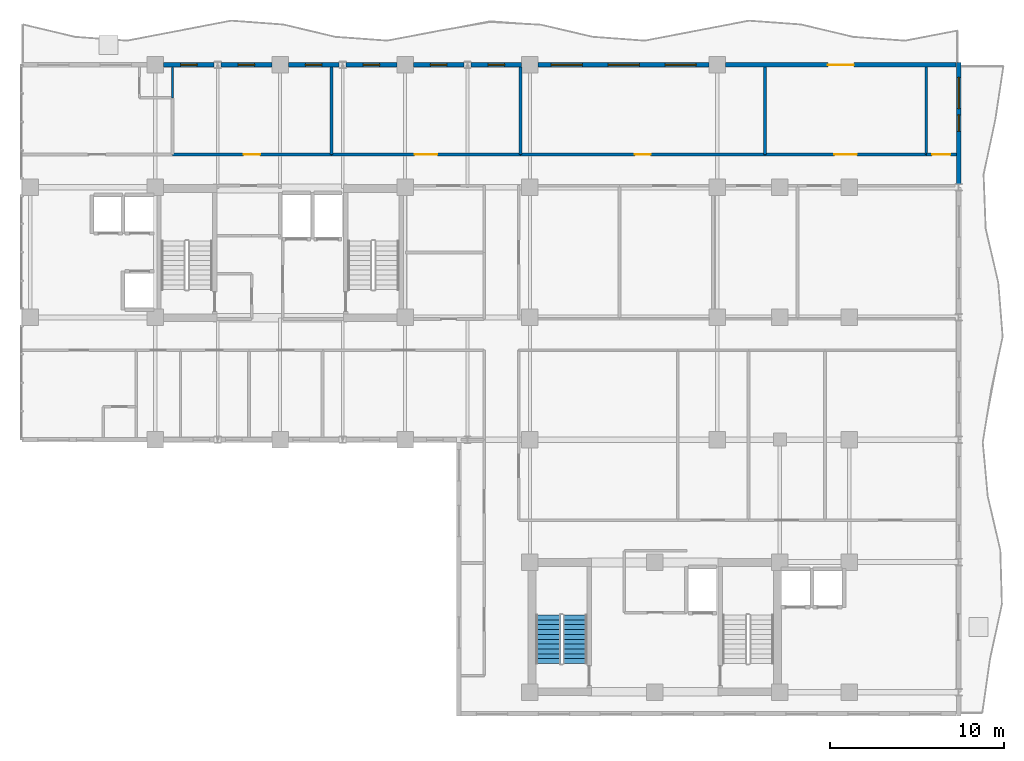
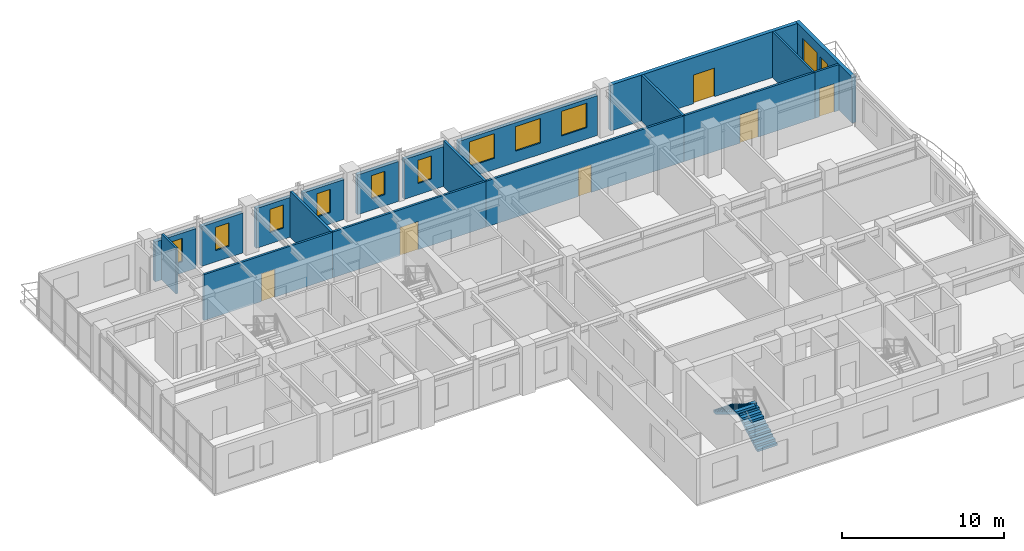
# One storey, part 16 of 20: 19 walls, 11 windows, 6 doors, 2 stair flights, 17 openings, 1 element without a shape of its own.
"""IFC4 building model written with IfcOpenShell, lengths in metres."""

from ifc_helpers import new_model, si_unit, direction, frame, frame_2d, origin, place, context, subcontext, project, spatial, polyline, rectangle, outline, extrude, material, layer, layer_set, type_object, element, fill, aggregate, save


model = new_model("IFC4")

# Units and contexts
model_context = context("Model", 3, precision=1e-05, world=origin(), true_north=direction((0.0, 1.0)))
body_context = subcontext(model_context, "Body", "Model", "MODEL_VIEW")
ifc_project = project(units=[si_unit("LENGTHUNIT", "METRE"), si_unit("AREAUNIT", "SQUARE_METRE"), si_unit("VOLUMEUNIT", "CUBIC_METRE"), si_unit("PLANEANGLEUNIT", "RADIAN"), si_unit("MASSUNIT", "GRAM", prefix="KILO")], contexts=[model_context])

# Site, building, storey
site_placement = place(None, origin())
site = spatial("IfcSite", under=ifc_project, at=site_placement, CompositionType="ELEMENT")
building_placement = place(site_placement, origin())
building = spatial("IfcBuilding", under=site, at=building_placement, Name="Kaliganga Portal Commons", CompositionType="ELEMENT")
storey_placement = place(building_placement, frame((0.0, 0.0, 201.800048828125)))
storey = spatial("IfcBuildingStorey", under=building, at=storey_placement, Name="L51", CompositionType="ELEMENT", Elevation=201.800048828125)

# Wall, openings, windows
ifc_material_1 = material(Name="Insulated Aluminium-Clad Spandrel Assembly", Category="aluminium")
ifc_layer_1 = layer(ifc_material_1, 0.260009765625)
ifc_layer_set_1 = layer_set([ifc_layer_1], Name="Insulated Aluminium-Clad Spandrel Assembly")
wall_type_1 = type_object("IfcWallType", Name="WL-EXT-SPAND-260", PredefinedType="STANDARD", material=ifc_layer_set_1)
wall_1_placement = place(storey_placement, frame((60.699951171875, 43.330078125, 0.0), z_axis=(0.0, 0.0, 1.0), x_axis=(0.0, -1.0, 0.0)))
wall_1 = element("IfcWall", 1, at=wall_1_placement, inside=storey, type_object=wall_type_1, Name="Exterior Envelope Wall L51 P1-E01-S6", PredefinedType="STANDARD", context=body_context, shape_type="SweptSolid", body=[
    extrude(rectangle(XDim=6.97900390625, YDim=0.260009765625, at=frame_2d((3.489501953125, 0.0))), origin(), (0.0, 0.0, 1.0), 3.449951171875),
])
opening_1_placement = place(wall_1_placement, frame((0.8447265625, 0.0, 0.85009765625)))
opening_1 = element("IfcOpeningElement", 2, at=opening_1_placement, cuts=wall_1, Name="Opening W-01", PredefinedType="OPENING", context=body_context, shape_type="SweptSolid", body=[
    extrude(rectangle(XDim=1.800048828125, YDim=1.85009765625, at=frame_2d((0.89990234375, 0.925048828125))), frame((0.0, 0.14013671875, 0.0), z_axis=(0.0, -1.0, 0.0), x_axis=(1.0, 0.0, 0.0)), (0.0, 0.0, 1.0), 0.280029296875),
])
opening_2_placement = place(wall_1_placement, frame((3.014404296875, 0.0, 0.85009765625)))
opening_2 = element("IfcOpeningElement", 3, at=opening_2_placement, cuts=wall_1, Name="Opening W-04", PredefinedType="OPENING", context=body_context, shape_type="SweptSolid", body=[
    extrude(rectangle(XDim=0.949951171875, YDim=1.75, at=frame_2d((0.47509765625, 0.875))), frame((0.0, 0.14013671875, 0.0), z_axis=(0.0, -1.0, 0.0), x_axis=(1.0, 0.0, 0.0)), (0.0, 0.0, 1.0), 0.280029296875),
])
ifc_material_2 = material(Name="Thermally Broken Aluminium and Low-E Double Glazing", Category="aluminium")
window_type_1 = type_object("IfcWindowType", Name="WIN-NARROW-950", PartitioningType="SINGLE_PANEL", PredefinedType="WINDOW", material=ifc_material_2)
window_1_placement = place(opening_2_placement, origin())
window_1 = element("IfcWindow", 4, at=window_1_placement, inside=storey, type_object=window_type_1, Name="Facade Window L51-P1E01S6-N0", OverallHeight=1.75, OverallWidth=0.949951171875, PartitioningType="SINGLE_PANEL", PredefinedType="WINDOW", context=body_context, shape_type="SweptSolid", body=[
    extrude(rectangle(XDim=0.949951171875, YDim=1.75, at=frame_2d((0.47509765625, 0.875))), frame((0.0, 0.030029296875, 0.0), z_axis=(0.0, -1.0, 0.0), x_axis=(1.0, 0.0, 0.0)), (0.0, 0.0, 1.0), 0.06005859375),
])
fill(opening_2, window_1)
window_type_2 = type_object("IfcWindowType", Name="WIN-STD-1800", PartitioningType="DOUBLE_PANEL_VERTICAL", PredefinedType="WINDOW", material=ifc_material_2)
window_2_placement = place(opening_1_placement, origin())
window_2 = element("IfcWindow", 5, at=window_2_placement, inside=storey, type_object=window_type_2, Name="Facade Window L51-P1E01S6-00", OverallHeight=1.85009765625, OverallWidth=1.800048828125, PartitioningType="SINGLE_PANEL", PredefinedType="WINDOW", context=body_context, shape_type="SweptSolid", body=[
    extrude(rectangle(XDim=1.800048828125, YDim=1.85009765625, at=frame_2d((0.89990234375, 0.925048828125))), frame((0.0, 0.030029296875, 0.0), z_axis=(0.0, -1.0, 0.0), x_axis=(1.0, 0.0, 0.0)), (0.0, 0.0, 1.0), 0.06005859375),
])
fill(opening_1, window_2)

# Wall, opening, door
wall_2_placement = place(storey_placement, frame((47.27587890625, 43.199951171875, 0.0), z_axis=(0.0, 0.0, 1.0), x_axis=(1.0, 0.0, 0.0)))
wall_2 = element("IfcWall", 6, at=wall_2_placement, inside=storey, type_object=wall_type_1, Name="Exterior Envelope Wall L51 P1-E02-S1", PredefinedType="STANDARD", context=body_context, shape_type="SweptSolid", body=[
    extrude(rectangle(XDim=13.2890625, YDim=0.260009765625, at=frame_2d((6.64453125, 0.0))), origin(), (0.0, 0.0, 1.0), 3.449951171875),
])
opening_3_placement = place(wall_2_placement, frame((5.89404296875, 0.0, 0.0)))
opening_3 = element("IfcOpeningElement", 7, at=opening_3_placement, cuts=wall_2, Name="Opening BD-01", PredefinedType="OPENING", context=body_context, shape_type="SweptSolid", body=[
    extrude(rectangle(XDim=1.5, YDim=2.14990234375, at=frame_2d((0.75, 1.074951171875))), frame((0.0, 0.14013671875, 0.0), z_axis=(0.0, -1.0, 0.0), x_axis=(1.0, 0.0, 0.0)), (0.0, 0.0, 1.0), 0.280029296875),
])
ifc_material_3 = material(Name="Anodized Aluminium and Laminated Safety Glass", Category="aluminium")
door_type_1 = type_object("IfcDoorType", Name="DR-BALC-1500", OperationType="SLIDING_TO_LEFT", PredefinedType="DOOR", material=ifc_material_3)
door_1_placement = place(opening_3_placement, origin())
door_1 = element("IfcDoor", 8, at=door_1_placement, inside=storey, type_object=door_type_1, Name="Balcony Sliding Door L51 balc_north", OperationType="SLIDING_TO_LEFT", OverallHeight=2.14990234375, OverallWidth=1.5, PredefinedType="DOOR", context=body_context, shape_type="SweptSolid", body=[
    extrude(rectangle(XDim=1.5, YDim=2.14990234375, at=frame_2d((0.75, 1.074951171875))), frame((0.0, 0.02490234375, 0.0), z_axis=(0.0, -1.0, 0.0), x_axis=(1.0, 0.0, 0.0)), (0.0, 0.0, 1.0), 0.050048828125),
])
fill(opening_3, door_1)

# Wall, openings, windows
wall_3_placement = place(storey_placement, frame((36.47607421875, 43.199951171875, 0.0), z_axis=(0.0, 0.0, 1.0), x_axis=(1.0, 0.0, 0.0)))
wall_3 = element("IfcWall", 9, at=wall_3_placement, inside=storey, type_object=wall_type_1, Name="Exterior Envelope Wall L51 P1-E02-S2", PredefinedType="STANDARD", context=body_context, shape_type="SweptSolid", body=[
    extrude(rectangle(XDim=9.847900390625, YDim=0.260009765625, at=frame_2d((4.923828125, 0.0))), origin(), (0.0, 0.0, 1.0), 3.0),
])
opening_4_placement = place(wall_3_placement, frame((0.7412109375, 0.0, 0.85009765625)))
opening_4 = element("IfcOpeningElement", 10, at=opening_4_placement, cuts=wall_3, Name="Opening W-01", PredefinedType="OPENING", context=body_context, shape_type="SweptSolid", body=[
    extrude(rectangle(XDim=1.800048828125, YDim=1.85009765625, at=frame_2d((0.89990234375, 0.925048828125))), frame((0.0, 0.14013671875, 0.0), z_axis=(0.0, -1.0, 0.0), x_axis=(1.0, 0.0, 0.0)), (0.0, 0.0, 1.0), 0.280029296875),
])
opening_5_placement = place(wall_3_placement, frame((4.02392578125, 0.0, 0.85009765625)))
opening_5 = element("IfcOpeningElement", 11, at=opening_5_placement, cuts=wall_3, Name="Opening W-01", PredefinedType="OPENING", context=body_context, shape_type="SweptSolid", body=[
    extrude(rectangle(XDim=1.800048828125, YDim=1.85009765625, at=frame_2d((0.89990234375, 0.925048828125))), frame((0.0, 0.14013671875, 0.0), z_axis=(0.0, -1.0, 0.0), x_axis=(1.0, 0.0, 0.0)), (0.0, 0.0, 1.0), 0.280029296875),
])
opening_6_placement = place(wall_3_placement, frame((7.306640625, 0.0, 0.85009765625)))
opening_6 = element("IfcOpeningElement", 12, at=opening_6_placement, cuts=wall_3, Name="Opening W-01", PredefinedType="OPENING", context=body_context, shape_type="SweptSolid", body=[
    extrude(rectangle(XDim=1.800048828125, YDim=1.85009765625, at=frame_2d((0.89990234375, 0.925048828125))), frame((0.0, 0.14013671875, 0.0), z_axis=(0.0, -1.0, 0.0), x_axis=(1.0, 0.0, 0.0)), (0.0, 0.0, 1.0), 0.280029296875),
])
window_3_placement = place(opening_4_placement, origin())
window_3 = element("IfcWindow", 13, at=window_3_placement, inside=storey, type_object=window_type_2, Name="Facade Window L51-P1E02S2-00", OverallHeight=1.85009765625, OverallWidth=1.800048828125, PartitioningType="SINGLE_PANEL", PredefinedType="WINDOW", context=body_context, shape_type="SweptSolid", body=[
    extrude(rectangle(XDim=1.800048828125, YDim=1.85009765625, at=frame_2d((0.89990234375, 0.925048828125))), frame((0.0, 0.030029296875, 0.0), z_axis=(0.0, -1.0, 0.0), x_axis=(1.0, 0.0, 0.0)), (0.0, 0.0, 1.0), 0.06005859375),
])
fill(opening_4, window_3)
window_4_placement = place(opening_5_placement, origin())
window_4 = element("IfcWindow", 14, at=window_4_placement, inside=storey, type_object=window_type_2, Name="Facade Window L51-P1E02S2-01", OverallHeight=1.85009765625, OverallWidth=1.800048828125, PartitioningType="SINGLE_PANEL", PredefinedType="WINDOW", context=body_context, shape_type="SweptSolid", body=[
    extrude(rectangle(XDim=1.800048828125, YDim=1.85009765625, at=frame_2d((0.89990234375, 0.925048828125))), frame((0.0, 0.030029296875, 0.0), z_axis=(0.0, -1.0, 0.0), x_axis=(1.0, 0.0, 0.0)), (0.0, 0.0, 1.0), 0.06005859375),
])
fill(opening_5, window_4)
window_5_placement = place(opening_6_placement, origin())
window_5 = element("IfcWindow", 15, at=window_5_placement, inside=storey, type_object=window_type_2, Name="Facade Window L51-P1E02S2-02", OverallHeight=1.85009765625, OverallWidth=1.800048828125, PartitioningType="SINGLE_PANEL", PredefinedType="WINDOW", context=body_context, shape_type="SweptSolid", body=[
    extrude(rectangle(XDim=1.800048828125, YDim=1.85009765625, at=frame_2d((0.89990234375, 0.925048828125))), frame((0.0, 0.030029296875, 0.0), z_axis=(0.0, -1.0, 0.0), x_axis=(1.0, 0.0, 0.0)), (0.0, 0.0, 1.0), 0.06005859375),
])
fill(opening_6, window_5)

# Wall, opening, window
wall_4_placement = place(storey_placement, frame((32.6005859375, 43.199951171875, 0.0), z_axis=(0.0, 0.0, 1.0), x_axis=(1.0, 0.0, 0.0)))
wall_4 = element("IfcWall", 16, at=wall_4_placement, inside=storey, type_object=wall_type_1, Name="Exterior Envelope Wall L51 P1-E02-S3", PredefinedType="STANDARD", context=body_context, shape_type="SweptSolid", body=[
    extrude(rectangle(XDim=2.92333984375, YDim=0.260009765625, at=frame_2d((1.461669921875, 0.0))), origin(), (0.0, 0.0, 1.0), 3.0),
])
opening_7_placement = place(wall_4_placement, frame((0.98681640625, 0.0, 0.85009765625)))
opening_7 = element("IfcOpeningElement", 17, at=opening_7_placement, cuts=wall_4, Name="Opening W-04", PredefinedType="OPENING", context=body_context, shape_type="SweptSolid", body=[
    extrude(rectangle(XDim=0.949951171875, YDim=1.75, at=frame_2d((0.47509765625, 0.875))), frame((0.0, 0.14013671875, 0.0), z_axis=(0.0, -1.0, 0.0), x_axis=(1.0, 0.0, 0.0)), (0.0, 0.0, 1.0), 0.280029296875),
])
window_6_placement = place(opening_7_placement, origin())
window_6 = element("IfcWindow", 18, at=window_6_placement, inside=storey, type_object=window_type_1, Name="Facade Window L51-P1E02S3-00", OverallHeight=1.75, OverallWidth=0.949951171875, PartitioningType="SINGLE_PANEL", PredefinedType="WINDOW", context=body_context, shape_type="SweptSolid", body=[
    extrude(rectangle(XDim=0.949951171875, YDim=1.75, at=frame_2d((0.47509765625, 0.875))), frame((0.0, 0.030029296875, 0.0), z_axis=(0.0, -1.0, 0.0), x_axis=(1.0, 0.0, 0.0)), (0.0, 0.0, 1.0), 0.06005859375),
])
fill(opening_7, window_6)

wall_5_placement = place(storey_placement, frame((29.27587890625, 43.199951171875, 0.0), z_axis=(0.0, 0.0, 1.0), x_axis=(1.0, 0.0, 0.0)))
wall_5 = element("IfcWall", 19, at=wall_5_placement, inside=storey, type_object=wall_type_1, Name="Exterior Envelope Wall L51 P1-E02-S4", PredefinedType="STANDARD", context=body_context, shape_type="SweptSolid", body=[
    extrude(rectangle(XDim=2.923583984375, YDim=0.260009765625, at=frame_2d((1.4619140625, 0.0))), origin(), (0.0, 0.0, 1.0), 3.0),
])
opening_8_placement = place(wall_5_placement, frame((0.98681640625, 0.0, 0.85009765625)))
opening_8 = element("IfcOpeningElement", 20, at=opening_8_placement, cuts=wall_5, Name="Opening W-04", PredefinedType="OPENING", context=body_context, shape_type="SweptSolid", body=[
    extrude(rectangle(XDim=0.949951171875, YDim=1.75, at=frame_2d((0.47509765625, 0.875))), frame((0.0, 0.14013671875, 0.0), z_axis=(0.0, -1.0, 0.0), x_axis=(1.0, 0.0, 0.0)), (0.0, 0.0, 1.0), 0.280029296875),
])
window_7_placement = place(opening_8_placement, origin())
window_7 = element("IfcWindow", 21, at=window_7_placement, inside=storey, type_object=window_type_1, Name="Facade Window L51-P1E02S4-00", OverallHeight=1.75, OverallWidth=0.949951171875, PartitioningType="SINGLE_PANEL", PredefinedType="WINDOW", context=body_context, shape_type="SweptSolid", body=[
    extrude(rectangle(XDim=0.949951171875, YDim=1.75, at=frame_2d((0.47509765625, 0.875))), frame((0.0, 0.030029296875, 0.0), z_axis=(0.0, -1.0, 0.0), x_axis=(1.0, 0.0, 0.0)), (0.0, 0.0, 1.0), 0.06005859375),
])
fill(opening_8, window_7)

wall_6_placement = place(storey_placement, frame((25.400390625, 43.199951171875, 0.0), z_axis=(0.0, 0.0, 1.0), x_axis=(1.0, 0.0, 0.0)))
wall_6 = element("IfcWall", 22, at=wall_6_placement, inside=storey, type_object=wall_type_1, Name="Exterior Envelope Wall L51 P1-E02-S5", PredefinedType="STANDARD", context=body_context, shape_type="SweptSolid", body=[
    extrude(rectangle(XDim=2.923583984375, YDim=0.260009765625, at=frame_2d((1.4619140625, 0.0))), origin(), (0.0, 0.0, 1.0), 3.0),
])
opening_9_placement = place(wall_6_placement, frame((0.98681640625, 0.0, 0.85009765625)))
opening_9 = element("IfcOpeningElement", 23, at=opening_9_placement, cuts=wall_6, Name="Opening W-04", PredefinedType="OPENING", context=body_context, shape_type="SweptSolid", body=[
    extrude(rectangle(XDim=0.949951171875, YDim=1.75, at=frame_2d((0.47509765625, 0.875))), frame((0.0, 0.14013671875, 0.0), z_axis=(0.0, -1.0, 0.0), x_axis=(1.0, 0.0, 0.0)), (0.0, 0.0, 1.0), 0.280029296875),
])
window_8_placement = place(opening_9_placement, origin())
window_8 = element("IfcWindow", 24, at=window_8_placement, inside=storey, type_object=window_type_1, Name="Facade Window L51-P1E02S5-00", OverallHeight=1.75, OverallWidth=0.949951171875, PartitioningType="SINGLE_PANEL", PredefinedType="WINDOW", context=body_context, shape_type="SweptSolid", body=[
    extrude(rectangle(XDim=0.949951171875, YDim=1.75, at=frame_2d((0.47509765625, 0.875))), frame((0.0, 0.030029296875, 0.0), z_axis=(0.0, -1.0, 0.0), x_axis=(1.0, 0.0, 0.0)), (0.0, 0.0, 1.0), 0.06005859375),
])
fill(opening_9, window_8)

wall_7_placement = place(storey_placement, frame((22.075927734375, 43.199951171875, 0.0), z_axis=(0.0, 0.0, 1.0), x_axis=(1.0, 0.0, 0.0)))
wall_7 = element("IfcWall", 25, at=wall_7_placement, inside=storey, type_object=wall_type_1, Name="Exterior Envelope Wall L51 P1-E02-S6", PredefinedType="STANDARD", context=body_context, shape_type="SweptSolid", body=[
    extrude(rectangle(XDim=2.923583984375, YDim=0.260009765625, at=frame_2d((1.4619140625, 0.0))), origin(), (0.0, 0.0, 1.0), 3.0),
])
opening_10_placement = place(wall_7_placement, frame((0.98681640625, 0.0, 0.85009765625)))
opening_10 = element("IfcOpeningElement", 26, at=opening_10_placement, cuts=wall_7, Name="Opening W-04", PredefinedType="OPENING", context=body_context, shape_type="SweptSolid", body=[
    extrude(rectangle(XDim=0.949951171875, YDim=1.75, at=frame_2d((0.47509765625, 0.875))), frame((0.0, 0.14013671875, 0.0), z_axis=(0.0, -1.0, 0.0), x_axis=(1.0, 0.0, 0.0)), (0.0, 0.0, 1.0), 0.280029296875),
])
window_9_placement = place(opening_10_placement, origin())
window_9 = element("IfcWindow", 27, at=window_9_placement, inside=storey, type_object=window_type_1, Name="Facade Window L51-P1E02S6-00", OverallHeight=1.75, OverallWidth=0.949951171875, PartitioningType="SINGLE_PANEL", PredefinedType="WINDOW", context=body_context, shape_type="SweptSolid", body=[
    extrude(rectangle(XDim=0.949951171875, YDim=1.75, at=frame_2d((0.47509765625, 0.875))), frame((0.0, 0.030029296875, 0.0), z_axis=(0.0, -1.0, 0.0), x_axis=(1.0, 0.0, 0.0)), (0.0, 0.0, 1.0), 0.06005859375),
])
fill(opening_10, window_9)

wall_8_placement = place(storey_placement, frame((18.200439453125, 43.199951171875, 0.0), z_axis=(0.0, 0.0, 1.0), x_axis=(1.0, 0.0, 0.0)))
wall_8 = element("IfcWall", 28, at=wall_8_placement, inside=storey, type_object=wall_type_1, Name="Exterior Envelope Wall L51 P1-E02-S7", PredefinedType="STANDARD", context=body_context, shape_type="SweptSolid", body=[
    extrude(rectangle(XDim=2.923583984375, YDim=0.260009765625, at=frame_2d((1.4619140625, 0.0))), origin(), (0.0, 0.0, 1.0), 3.0),
])
opening_11_placement = place(wall_8_placement, frame((0.98681640625, 0.0, 0.85009765625)))
opening_11 = element("IfcOpeningElement", 29, at=opening_11_placement, cuts=wall_8, Name="Opening W-04", PredefinedType="OPENING", context=body_context, shape_type="SweptSolid", body=[
    extrude(rectangle(XDim=0.949951171875, YDim=1.75, at=frame_2d((0.47509765625, 0.875))), frame((0.0, 0.14013671875, 0.0), z_axis=(0.0, -1.0, 0.0), x_axis=(1.0, 0.0, 0.0)), (0.0, 0.0, 1.0), 0.280029296875),
])
window_10_placement = place(opening_11_placement, origin())
window_10 = element("IfcWindow", 30, at=window_10_placement, inside=storey, type_object=window_type_1, Name="Facade Window L51-P1E02S7-00", OverallHeight=1.75, OverallWidth=0.949951171875, PartitioningType="SINGLE_PANEL", PredefinedType="WINDOW", context=body_context, shape_type="SweptSolid", body=[
    extrude(rectangle(XDim=0.949951171875, YDim=1.75, at=frame_2d((0.47509765625, 0.875))), frame((0.0, 0.030029296875, 0.0), z_axis=(0.0, -1.0, 0.0), x_axis=(1.0, 0.0, 0.0)), (0.0, 0.0, 1.0), 0.06005859375),
])
fill(opening_11, window_10)

wall_9_placement = place(storey_placement, frame((14.8759765625, 43.199951171875, 0.0), z_axis=(0.0, 0.0, 1.0), x_axis=(1.0, 0.0, 0.0)))
wall_9 = element("IfcWall", 31, at=wall_9_placement, inside=storey, type_object=wall_type_1, Name="Exterior Envelope Wall L51 P1-E02-S8", PredefinedType="STANDARD", context=body_context, shape_type="SweptSolid", body=[
    extrude(rectangle(XDim=2.923583984375, YDim=0.260009765625, at=frame_2d((1.4619140625, 0.0))), origin(), (0.0, 0.0, 1.0), 3.0),
])
opening_12_placement = place(wall_9_placement, frame((0.98681640625, 0.0, 0.85009765625)))
opening_12 = element("IfcOpeningElement", 32, at=opening_12_placement, cuts=wall_9, Name="Opening W-04", PredefinedType="OPENING", context=body_context, shape_type="SweptSolid", body=[
    extrude(rectangle(XDim=0.949951171875, YDim=1.75, at=frame_2d((0.47509765625, 0.875))), frame((0.0, 0.14013671875, 0.0), z_axis=(0.0, -1.0, 0.0), x_axis=(1.0, 0.0, 0.0)), (0.0, 0.0, 1.0), 0.280029296875),
])
window_11_placement = place(opening_12_placement, origin())
window_11 = element("IfcWindow", 33, at=window_11_placement, inside=storey, type_object=window_type_1, Name="Facade Window L51-P1E02S8-00", OverallHeight=1.75, OverallWidth=0.949951171875, PartitioningType="SINGLE_PANEL", PredefinedType="WINDOW", context=body_context, shape_type="SweptSolid", body=[
    extrude(rectangle(XDim=0.949951171875, YDim=1.75, at=frame_2d((0.47509765625, 0.875))), frame((0.0, 0.030029296875, 0.0), z_axis=(0.0, -1.0, 0.0), x_axis=(1.0, 0.0, 0.0)), (0.0, 0.0, 1.0), 0.06005859375),
])
fill(opening_12, window_11)

# Wall, opening, door
ifc_material_4 = material(Name="Fire-Rated Gypsum Board on Steel Stud", Category="steel")
ifc_layer_2 = layer(ifc_material_4, 0.14990234375)
ifc_layer_set_2 = layer_set([ifc_layer_2], Name="Fire-Rated Gypsum Board on Steel Stud")
wall_type_2 = type_object("IfcWallType", Name="WL-PART-CORR-150", PredefinedType="PARTITIONING", material=ifc_layer_set_2)
wall_10_placement = place(storey_placement, frame((35.4599609375, 38.0400390625, 0.0), z_axis=(0.0, 0.0, 1.0), x_axis=(1.0, 0.0, 0.0)))
wall_10 = element("IfcWall", 34, at=wall_10_placement, inside=storey, type_object=wall_type_2, Name="Interior Partition L51-007", PredefinedType="PARTITIONING", context=body_context, shape_type="SweptSolid", body=[
    extrude(rectangle(XDim=14.080078125, YDim=0.14990234375, at=frame_2d((7.0400390625, 0.0))), origin(), (0.0, 0.0, 1.0), 3.449951171875),
])
opening_13_placement = place(wall_10_placement, frame((6.590087890625, 0.0, 0.0)))
opening_13 = element("IfcOpeningElement", 35, at=opening_13_placement, cuts=wall_10, Name="Opening RD-01", PredefinedType="OPENING", context=body_context, shape_type="SweptSolid", body=[
    extrude(rectangle(XDim=0.89990234375, YDim=2.080078125, at=frame_2d((0.449951171875, 1.0400390625))), frame((0.0, 0.0849609375, 0.0), z_axis=(0.0, -1.0, 0.0), x_axis=(1.0, 0.0, 0.0)), (0.0, 0.0, 1.0), 0.169921875),
])
ifc_material_5 = material(Name="Engineered Timber Flush Door", Category="wood")
door_type_2 = type_object("IfcDoorType", Name="DR-ROOM-900", OperationType="NOTDEFINED", PredefinedType="DOOR", material=ifc_material_5)
door_2_placement = place(opening_13_placement, origin())
door_2 = element("IfcDoor", 36, at=door_2_placement, inside=storey, type_object=door_type_2, Name="Interior Door L51-AN04", OperationType="SINGLE_SWING_RIGHT", OverallHeight=2.080078125, OverallWidth=0.89990234375, PredefinedType="DOOR", context=body_context, shape_type="SweptSolid", body=[
    extrude(rectangle(XDim=0.89990234375, YDim=2.080078125, at=frame_2d((0.449951171875, 1.0400390625))), frame((0.0, 0.02490234375, 0.0), z_axis=(0.0, -1.0, 0.0), x_axis=(1.0, 0.0, 0.0)), (0.0, 0.0, 1.0), 0.050048828125),
])
fill(opening_13, door_2)

wall_11_placement = place(storey_placement, frame((24.56005859375, 38.0400390625, 0.0), z_axis=(0.0, 0.0, 1.0), x_axis=(1.0, 0.0, 0.0)))
wall_11 = element("IfcWall", 37, at=wall_11_placement, inside=storey, type_object=wall_type_2, Name="Interior Partition L51-008", PredefinedType="PARTITIONING", context=body_context, shape_type="SweptSolid", body=[
    extrude(rectangle(XDim=10.89990234375, YDim=0.14990234375, at=frame_2d((5.449951171875, 0.0))), origin(), (0.0, 0.0, 1.0), 3.449951171875),
])
opening_14_placement = place(wall_11_placement, frame((4.800048828125, 0.0, 0.0)))
opening_14 = element("IfcOpeningElement", 38, at=opening_14_placement, cuts=wall_11, Name="Opening RD-03", PredefinedType="OPENING", context=body_context, shape_type="SweptSolid", body=[
    extrude(rectangle(XDim=1.300048828125, YDim=2.1201171875, at=frame_2d((0.64990234375, 1.06005859375))), frame((0.0, 0.0849609375, 0.0), z_axis=(0.0, -1.0, 0.0), x_axis=(1.0, 0.0, 0.0)), (0.0, 0.0, 1.0), 0.169921875),
])
ifc_material_6 = material(Name="Glazed Timber Seminar Vision Door", Category="wood")
door_type_3 = type_object("IfcDoorType", Name="DR-STUDY-1300", OperationType="DOUBLE_DOOR_SINGLE_SWING", PredefinedType="DOOR", material=ifc_material_6)
door_3_placement = place(opening_14_placement, origin())
door_3 = element("IfcDoor", 39, at=door_3_placement, inside=storey, type_object=door_type_3, Name="Interior Door L51-AN03", OperationType="DOUBLE_DOOR_SINGLE_SWING", OverallHeight=2.1201171875, OverallWidth=1.300048828125, PredefinedType="DOOR", context=body_context, shape_type="SweptSolid", body=[
    extrude(rectangle(XDim=1.300048828125, YDim=2.1201171875, at=frame_2d((0.64990234375, 1.06005859375))), frame((0.0, 0.02490234375, 0.0), z_axis=(0.0, -1.0, 0.0), x_axis=(1.0, 0.0, 0.0)), (0.0, 0.0, 1.0), 0.050048828125),
])
fill(opening_14, door_3)

wall_12_placement = place(storey_placement, frame((49.5400390625, 38.0400390625, 0.0), z_axis=(0.0, 0.0, 1.0), x_axis=(1.0, 0.0, 0.0)))
wall_12 = element("IfcWall", 40, at=wall_12_placement, inside=storey, type_object=wall_type_2, Name="Interior Partition L51-011", PredefinedType="PARTITIONING", context=body_context, shape_type="SweptSolid", body=[
    extrude(rectangle(XDim=9.300048828125, YDim=0.14990234375, at=frame_2d((4.64990234375, 0.0))), origin(), (0.0, 0.0, 1.0), 3.449951171875),
])
opening_15_placement = place(wall_12_placement, frame((4.0, 0.0, 0.0)))
opening_15 = element("IfcOpeningElement", 41, at=opening_15_placement, cuts=wall_12, Name="Opening RD-03", PredefinedType="OPENING", context=body_context, shape_type="SweptSolid", body=[
    extrude(rectangle(XDim=1.300048828125, YDim=2.1201171875, at=frame_2d((0.64990234375, 1.06005859375))), frame((0.0, 0.0849609375, 0.0), z_axis=(0.0, -1.0, 0.0), x_axis=(1.0, 0.0, 0.0)), (0.0, 0.0, 1.0), 0.169921875),
])
door_4_placement = place(opening_15_placement, origin())
door_4 = element("IfcDoor", 42, at=door_4_placement, inside=storey, type_object=door_type_3, Name="Interior Door L51-AN05", OperationType="DOUBLE_DOOR_SINGLE_SWING", OverallHeight=2.1201171875, OverallWidth=1.300048828125, PredefinedType="DOOR", context=body_context, shape_type="SweptSolid", body=[
    extrude(rectangle(XDim=1.300048828125, YDim=2.1201171875, at=frame_2d((0.64990234375, 1.06005859375))), frame((0.0, 0.02490234375, 0.0), z_axis=(0.0, -1.0, 0.0), x_axis=(1.0, 0.0, 0.0)), (0.0, 0.0, 1.0), 0.050048828125),
])
fill(opening_15, door_4)

wall_13_placement = place(storey_placement, frame((15.39990234375, 38.0400390625, 0.0), z_axis=(0.0, 0.0, 1.0), x_axis=(1.0, 0.0, 0.0)))
wall_13 = element("IfcWall", 43, at=wall_13_placement, inside=storey, type_object=wall_type_2, Name="Interior Partition L51-015", PredefinedType="PARTITIONING", context=body_context, shape_type="SweptSolid", body=[
    extrude(rectangle(XDim=9.16015625, YDim=0.14990234375, at=frame_2d((4.580078125, 0.0))), origin(), (0.0, 0.0, 1.0), 3.449951171875),
])
opening_16_placement = place(wall_13_placement, frame((4.10498046875, 0.0, 0.0)))
opening_16 = element("IfcOpeningElement", 44, at=opening_16_placement, cuts=wall_13, Name="Opening UD-01", PredefinedType="OPENING", context=body_context, shape_type="SweptSolid", body=[
    extrude(rectangle(XDim=0.949951171875, YDim=2.10009765625, at=frame_2d((0.47509765625, 1.050048828125))), frame((0.0, 0.0849609375, 0.0), z_axis=(0.0, -1.0, 0.0), x_axis=(1.0, 0.0, 0.0)), (0.0, 0.0, 1.0), 0.169921875),
])
ifc_material_7 = material(Name="Solid-Core Timber Acoustic Fire Door", Category="wood")
door_type_4 = type_object("IfcDoorType", Name="DR-UNIT-950", OperationType="NOTDEFINED", PredefinedType="DOOR", material=ifc_material_7)
door_5_placement = place(opening_16_placement, origin())
door_5 = element("IfcDoor", 45, at=door_5_placement, inside=storey, type_object=door_type_4, Name="Interior Door L51-AN02", OperationType="SINGLE_SWING_RIGHT", OverallHeight=2.10009765625, OverallWidth=0.949951171875, PredefinedType="DOOR", context=body_context, shape_type="SweptSolid", body=[
    extrude(rectangle(XDim=0.949951171875, YDim=2.10009765625, at=frame_2d((0.47509765625, 1.050048828125))), frame((0.0, 0.02490234375, 0.0), z_axis=(0.0, -1.0, 0.0), x_axis=(1.0, 0.0, 0.0)), (0.0, 0.0, 1.0), 0.050048828125),
])
fill(opening_16, door_5)

wall_14_placement = place(storey_placement, frame((58.840087890625, 38.0400390625, 0.0), z_axis=(0.0, 0.0, 1.0), x_axis=(1.0, 0.0, 0.0)))
wall_14 = element("IfcWall", 46, at=wall_14_placement, inside=storey, type_object=wall_type_2, Name="Interior Partition L51-044", PredefinedType="PARTITIONING", context=body_context, shape_type="SweptSolid", body=[
    extrude(rectangle(XDim=1.72802734375, YDim=0.14990234375, at=frame_2d((0.864013671875, 0.0))), origin(), (0.0, 0.0, 1.0), 3.449951171875),
])
opening_17_placement = place(wall_14_placement, frame((0.339111328125, 0.0, 0.0)))
opening_17 = element("IfcOpeningElement", 47, at=opening_17_placement, cuts=wall_14, Name="Opening UD-02", PredefinedType="OPENING", context=body_context, shape_type="SweptSolid", body=[
    extrude(rectangle(XDim=1.050048828125, YDim=2.1201171875, at=frame_2d((0.52490234375, 1.06005859375))), frame((0.0, 0.0849609375, 0.0), z_axis=(0.0, -1.0, 0.0), x_axis=(1.0, 0.0, 0.0)), (0.0, 0.0, 1.0), 0.169921875),
])
ifc_material_8 = material(Name="Accessible Wide-Leaf Acoustic Fire Door", Category="wood")
door_type_5 = type_object("IfcDoorType", Name="DR-ACC-1050", OperationType="NOTDEFINED", PredefinedType="DOOR", material=ifc_material_8)
door_6_placement = place(opening_17_placement, origin())
door_6 = element("IfcDoor", 48, at=door_6_placement, inside=storey, type_object=door_type_5, Name="Interior Door L51-AN06", OperationType="SINGLE_SWING_LEFT", OverallHeight=2.1201171875, OverallWidth=1.050048828125, PredefinedType="DOOR", context=body_context, shape_type="SweptSolid", body=[
    extrude(rectangle(XDim=1.050048828125, YDim=2.1201171875, at=frame_2d((0.52490234375, 1.06005859375))), frame((0.0, 0.02490234375, 0.0), z_axis=(0.0, -1.0, 0.0), x_axis=(1.0, 0.0, 0.0)), (0.0, 0.0, 1.0), 0.050048828125),
])
fill(opening_17, door_6)

# Walls
ifc_material_9 = material(Name="Twin-Stud Acoustic Gypsum Partition", Category="gypsum")
ifc_layer_3 = layer(ifc_material_9, 0.1650390625)
ifc_layer_set_3 = layer_set([ifc_layer_3], Name="Twin-Stud Acoustic Gypsum Partition")
wall_type_3 = type_object("IfcWallType", Name="WL-PART-UNIT-165", PredefinedType="PARTITIONING", material=ifc_layer_set_3)
for number, where, z_axis, x_axis, name in (
    (49, (24.56005859375, 38.0400390625, 0.0), (0.0, 0.0, 1.0), (0.0, 1.0, 0.0), "Interior Partition L51-058"),
    (50, (35.4599609375, 38.0400390625, 0.0), (0.0, 0.0, 1.0), (0.0, 1.0, 0.0), "Interior Partition L51-059"),
    (51, (49.5400390625, 38.0400390625, 0.0), (0.0, 0.0, 1.0), (0.0, 1.0, 0.0), "Interior Partition L51-060"),
):
    element("IfcWall", number, at=place(storey_placement, frame(where, z_axis=z_axis, x_axis=x_axis)), inside=storey, type_object=wall_type_3, Name=name, PredefinedType="PARTITIONING", context=body_context, shape_type="SweptSolid", body=[
        extrude(rectangle(XDim=5.028076171875, YDim=0.1650390625, at=frame_2d((2.51416015625, 0.0))), origin(), (0.0, 0.0, 1.0), 3.449951171875),
    ])
ifc_material_10 = material(Name="Cement-Board Wet-Room Partition", Category="gypsum")
ifc_layer_4 = layer(ifc_material_10, 0.135009765625)
ifc_layer_set_4 = layer_set([ifc_layer_4], Name="Cement-Board Wet-Room Partition")
wall_type_4 = type_object("IfcWallType", Name="WL-PART-WET-135", PredefinedType="PARTITIONING", material=ifc_layer_set_4)
wall_15_placement = place(storey_placement, frame((15.39990234375, 41.300048828125, 0.0), z_axis=(0.0, 0.0, 1.0), x_axis=(0.0, 1.0, 0.0)))
element("IfcWall", 52, at=wall_15_placement, inside=storey, type_object=wall_type_4, Name="Interior Partition L51-002", PredefinedType="PARTITIONING", context=body_context, shape_type="SweptSolid", body=[
    extrude(rectangle(XDim=1.76806640625, YDim=0.135009765625, at=frame_2d((0.884033203125, 0.0))), origin(), (0.0, 0.0, 1.0), 3.449951171875),
])
wall_16_placement = place(storey_placement, frame((58.840087890625, 38.0400390625, 0.0), z_axis=(0.0, 0.0, 1.0), x_axis=(0.0, 1.0, 0.0)))
element("IfcWall", 53, at=wall_16_placement, inside=storey, type_object=wall_type_4, Name="Interior Partition L51-061", PredefinedType="PARTITIONING", context=body_context, shape_type="SweptSolid", body=[
    extrude(rectangle(XDim=5.028076171875, YDim=0.135009765625, at=frame_2d((2.51416015625, 0.0))), origin(), (0.0, 0.0, 1.0), 3.449951171875),
])

# Stair, stair flights
ifc_material_11 = material(Name="Concrete C40/50", Category="concrete")
stair_type = type_object("IfcStairType", Name="ST-CORE-DOGLEG", PredefinedType="HALF_TURN_STAIR", material=ifc_material_11)
stair_placement = place(storey_placement, origin())
stair = element("IfcStair", 54, at=stair_placement, inside=storey, type_object=stair_type, Name="L51 Protected Exit Stair ST-B1", PredefinedType="HALF_TURN_STAIR")
stair_flight_type = type_object("IfcStairFlightType", Name="STF-RC-1400", PredefinedType="STRAIGHT", material=ifc_material_11)
stair_flight_1_placement = place(storey_placement, frame((38.60009765625, 8.699951171875, 0.0), z_axis=(0.0, 0.0, 1.0), x_axis=(0.0, 1.0, 0.0)))
stair_flight_1 = element("IfcStairFlight", 55, at=stair_flight_1_placement, type_object=stair_flight_type, Name="ST-B1 flight 1", NumberOfRisers=11, NumberOfTreads=10, PredefinedType="STRAIGHT", RiserHeight=0.168181818, TreadLength=0.28, context=body_context, shape_type="SweptSolid", body=[
    extrude(outline(polyline([(0.0, 0.0), (0.0, 0.168212890625), (0.280029296875, 0.168212890625), (0.280029296875, 0.33642578125), (0.56005859375, 0.33642578125), (0.56005859375, 0.504638671875), (0.840087890625, 0.504638671875), (0.840087890625, 0.672607421875), (1.1201171875, 0.672607421875), (1.1201171875, 0.8408203125), (1.39990234375, 0.8408203125), (1.39990234375, 1.009033203125), (1.679931640625, 1.009033203125), (1.679931640625, 1.17724609375), (1.9599609375, 1.17724609375), (1.9599609375, 1.345458984375), (2.239990234375, 1.345458984375), (2.239990234375, 1.513671875), (2.52001953125, 1.513671875), (2.52001953125, 1.681884765625), (2.800048828125, 1.681884765625), (2.800048828125, 1.85009765625), (2.800048828125, 1.5068359375), (0.291015625, 0.0), (0.0, 0.0)])), frame((0.0, 0.699951171875, 0.0), z_axis=(0.0, -1.0, 0.0), x_axis=(1.0, 0.0, 0.0)), (0.0, 0.0, 1.0), 1.39990234375),
])
stair_flight_2_placement = place(storey_placement, frame((37.050048828125, 11.5, 1.849853515625), z_axis=(0.0, 0.0, 1.0), x_axis=(0.0, -1.0, 0.0)))
stair_flight_2 = element("IfcStairFlight", 56, at=stair_flight_2_placement, type_object=stair_flight_type, Name="ST-B1 flight 2", NumberOfRisers=11, NumberOfTreads=10, PredefinedType="STRAIGHT", RiserHeight=0.168181818, TreadLength=0.28, context=body_context, shape_type="SweptSolid", body=[
    extrude(outline(polyline([(0.0, 0.0), (0.0, 0.168212890625), (0.280029296875, 0.168212890625), (0.280029296875, 0.33642578125), (0.56005859375, 0.33642578125), (0.56005859375, 0.504638671875), (0.840087890625, 0.504638671875), (0.840087890625, 0.672607421875), (1.1201171875, 0.672607421875), (1.1201171875, 0.8408203125), (1.39990234375, 0.8408203125), (1.39990234375, 1.009033203125), (1.679931640625, 1.009033203125), (1.679931640625, 1.17724609375), (1.9599609375, 1.17724609375), (1.9599609375, 1.345458984375), (2.239990234375, 1.345458984375), (2.239990234375, 1.513671875), (2.52001953125, 1.513671875), (2.52001953125, 1.681884765625), (2.800048828125, 1.681884765625), (2.800048828125, 1.85009765625), (2.800048828125, 1.5068359375), (0.291015625, 0.0), (0.0, 0.0)])), frame((0.0, 0.699951171875, 0.0), z_axis=(0.0, -1.0, 0.0), x_axis=(1.0, 0.0, 0.0)), (0.0, 0.0, 1.0), 1.39990234375),
])
aggregate(stair, [stair_flight_1, stair_flight_2])

save(model, "model.ifc")
